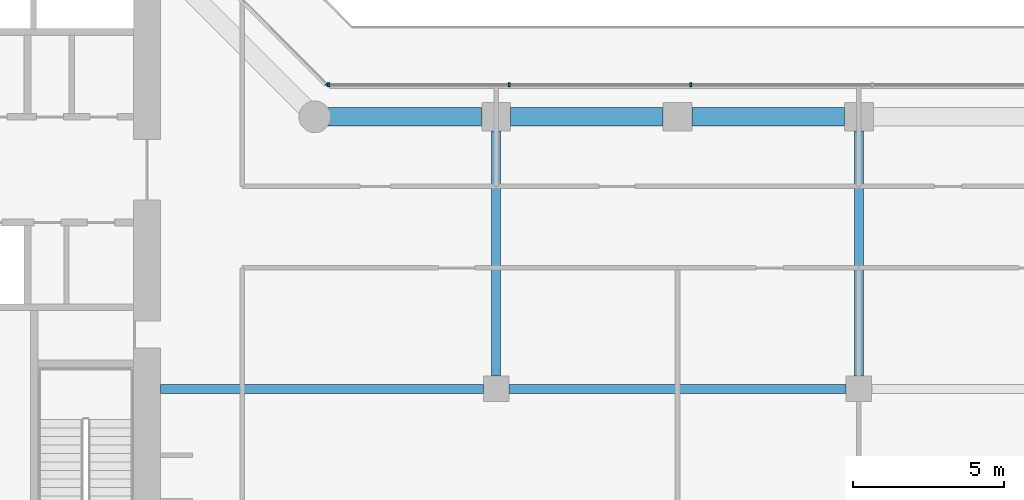
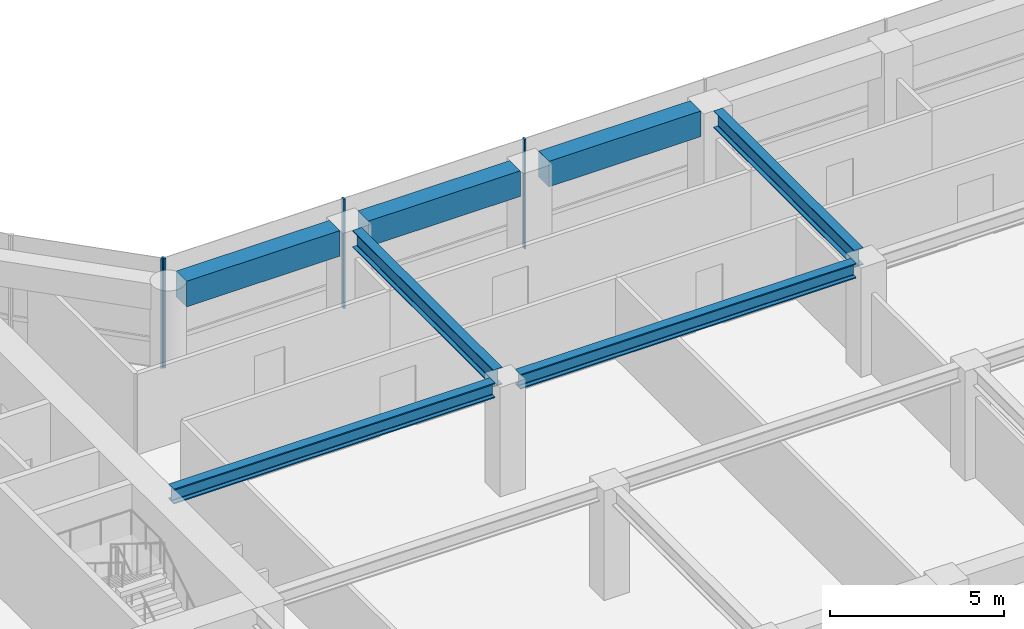
# One storey, part 9 of 29: 7 beams, 4 members, 2 elements without a shape of their own.
"""IFC4 building model written with IfcOpenShell, lengths in metres."""

from ifc_helpers import new_model, si_unit, direction, frame, origin, origin_2d, place, context, subcontext, project, spatial, rectangle, i_section, extrude, material, layer, layer_set, material_profile, profile_set, type_object, element, aggregate, save


model = new_model("IFC4")

# Units and contexts
model_context = context("Model", 3, precision=1e-05, world=origin(), true_north=direction((0.0, 1.0)))
body_context = subcontext(model_context, "Body", "Model", "MODEL_VIEW")
ifc_project = project(units=[si_unit("LENGTHUNIT", "METRE"), si_unit("AREAUNIT", "SQUARE_METRE"), si_unit("VOLUMEUNIT", "CUBIC_METRE"), si_unit("PLANEANGLEUNIT", "RADIAN"), si_unit("MASSUNIT", "GRAM", prefix="KILO")], contexts=[model_context])

# Site, building, storey
site_placement = place(None, origin())
site = spatial("IfcSite", under=ifc_project, at=site_placement, CompositionType="ELEMENT")
building_placement = place(site_placement, origin())
building = spatial("IfcBuilding", under=site, at=building_placement, Name="Welwitschia Terrace Campus", CompositionType="ELEMENT")
storey_placement = place(building_placement, frame((0.0, 0.0, 33.199951171875)))
storey = spatial("IfcBuildingStorey", under=building, at=storey_placement, Name="L07", CompositionType="ELEMENT", Elevation=33.199951171875)

# Beams
ifc_material_1 = material(Name="Steel S355", Category="steel")
ifc_material_profile_1 = material_profile(ifc_material_1, i_section(OverallWidth=0.305908203125, OverallDepth=0.52392578125, WebThickness=0.02099609375, FlangeThickness=0.0400390625, FilletRadius=0.027099609375, at=origin_2d()))
ifc_profile_set_1 = profile_set([ifc_material_profile_1], Name="Steel S355")
beam_type_1 = type_object("IfcBeamType", Name="Interior girder HE 500 M", PredefinedType="BEAM", material=ifc_profile_set_1)
beam_1_placement = place(storey_placement, frame((24.90087890625, 11.0, 3.588134765625), z_axis=(1.0, 0.0, 0.0), x_axis=(0.0, 1.0, 0.0)))
element("IfcBeam", 1, at=beam_1_placement, inside=storey, type_object=beam_type_1, Name="Girder GB2", PredefinedType="BEAM", context=body_context, shape_type="SweptSolid", body=[
    extrude(i_section(OverallWidth=0.305908203125, OverallDepth=0.52392578125, WebThickness=0.02099609375, FlangeThickness=0.0400390625, FilletRadius=0.027099609375, at=origin_2d()), origin(), (0.0, 0.0, 1.0), 10.673583984375),
])
beam_2_placement = place(storey_placement, frame((36.425537109375, 11.0, 3.588134765625), z_axis=(1.0, 0.0, 0.0), x_axis=(0.0, 1.0, 0.0)))
element("IfcBeam", 2, at=beam_2_placement, inside=storey, type_object=beam_type_1, Name="Girder GB2", PredefinedType="BEAM", context=body_context, shape_type="SweptSolid", body=[
    extrude(i_section(OverallWidth=0.305908203125, OverallDepth=0.52392578125, WebThickness=0.02099609375, FlangeThickness=0.0400390625, FilletRadius=0.027099609375, at=origin_2d()), origin(), (0.0, 0.0, 1.0), 11.14892578125),
])

# Curtain wall, members
ifc_material_2 = material(Name="Bronze anodised aluminium", Category="aluminium")
ifc_layer = layer(ifc_material_2, 0.1201171875)
ifc_layer_set = layer_set([ifc_layer], Name="Bronze anodised aluminium")
curtain_wall_type = type_object("IfcCurtainWallType", Name="Curtain wall CW2 tower 6000", PredefinedType="NOTDEFINED", material=ifc_layer_set)
curtain_wall_1_placement = place(storey_placement, origin())
curtain_wall_1 = element("IfcCurtainWall", 3, at=curtain_wall_1_placement, inside=storey, type_object=curtain_wall_type, Name="CW L07.11.0", PredefinedType="NOTDEFINED")
ifc_material_3 = material(Name="Bronze anodised aluminium", Category="aluminium")
ifc_material_profile_2 = material_profile(ifc_material_3, rectangle(XDim=0.1201171875, YDim=0.06005859375, at=origin_2d()))
ifc_profile_set_2 = profile_set([ifc_material_profile_2], Name="Bronze anodised aluminium")
member_type = type_object("IfcMemberType", Name="Mullion 60x120", PredefinedType="MULLION", material=ifc_profile_set_2)
member_1_placement = place(storey_placement, frame((42.438232421875, 21.05810546875, 0.0), z_axis=(0.0, 0.0, 1.0), x_axis=(0.0, -1.0, 0.0)))
member_1 = element("IfcMember", 4, at=member_1_placement, type_object=member_type, Name="Mullion L07.11.0.3", PredefinedType="MULLION", context=body_context, shape_type="SweptSolid", body=[
    extrude(rectangle(XDim=0.1201171875, YDim=0.06005859375, at=origin_2d()), origin(), (0.0, 0.0, 1.0), 3.85009765625),
])
member_2_placement = place(storey_placement, frame((36.438232421875, 21.05810546875, 0.0), z_axis=(0.0, 0.0, 1.0), x_axis=(0.0, -1.0, 0.0)))
member_2 = element("IfcMember", 5, at=member_2_placement, type_object=member_type, Name="Mullion L07.11.0.4", PredefinedType="MULLION", context=body_context, shape_type="SweptSolid", body=[
    extrude(rectangle(XDim=0.1201171875, YDim=0.06005859375, at=origin_2d()), origin(), (0.0, 0.0, 1.0), 3.85009765625),
])
member_3_placement = place(storey_placement, frame((30.46826171875, 21.05810546875, 0.0), z_axis=(0.0, 0.0, 1.0), x_axis=(0.0, -1.0, 0.0)))
member_3 = element("IfcMember", 6, at=member_3_placement, type_object=member_type, Name="Mullion L07.11.0.5", PredefinedType="MULLION", context=body_context, shape_type="SweptSolid", body=[
    extrude(rectangle(XDim=0.1201171875, YDim=0.06005859375, at=origin_2d()), origin(), (0.0, 0.0, 1.0), 3.85009765625),
])
aggregate(curtain_wall_1, [member_1, member_2, member_3])

# Curtain wall, member
curtain_wall_2_placement = place(storey_placement, origin())
curtain_wall_2 = element("IfcCurtainWall", 7, at=curtain_wall_2_placement, inside=storey, type_object=curtain_wall_type, Name="CW L07.12.0", PredefinedType="NOTDEFINED")
member_4_placement = place(storey_placement, frame((30.4169921875, 21.0791015625, 0.0), z_axis=(0.0, 0.0, 1.0), x_axis=(-0.707106781187, -0.707106781187, 0.0)))
member_4 = element("IfcMember", 8, at=member_4_placement, type_object=member_type, Name="Mullion L07.12.0.0", PredefinedType="MULLION", context=body_context, shape_type="SweptSolid", body=[
    extrude(rectangle(XDim=0.1201171875, YDim=0.06005859375, at=origin_2d()), origin(), (0.0, 0.0, 1.0), 3.85009765625),
])
aggregate(curtain_wall_2, [member_4])

# Beams
ifc_material_4 = material(Name="Steel S355", Category="steel")
ifc_material_profile_3 = material_profile(ifc_material_4, i_section(OverallWidth=0.300048828125, OverallDepth=0.60009765625, WebThickness=0.015380859375, FlangeThickness=0.030029296875, FilletRadius=0.027099609375, at=origin_2d()))
ifc_profile_set_3 = profile_set([ifc_material_profile_3], Name="Steel S355")
beam_type_2 = type_object("IfcBeamType", Name="Primary beam HE 600 B", PredefinedType="BEAM", material=ifc_profile_set_3)
for number, where, z_axis, x_axis, name in (
    (9, (48.0, 19.5244140625, 3.550048828125), (0.0, -1.0, 0.0), (1.0, 0.0, 0.0), "Primary beam PB2"),
    (10, (36.0, 19.5244140625, 3.550048828125), (0.0, -1.0, 0.0), (1.0, 0.0, 0.0), "Primary beam PB2"),
):
    element("IfcBeam", number, at=place(storey_placement, frame(where, z_axis=z_axis, x_axis=x_axis)), inside=storey, type_object=beam_type_2, Name=name, PredefinedType="BEAM", context=body_context, shape_type="SweptSolid", body=[
        extrude(i_section(OverallWidth=0.300048828125, OverallDepth=0.60009765625, WebThickness=0.015380859375, FlangeThickness=0.030029296875, FilletRadius=0.027099609375, at=origin_2d()), origin(), (0.0, 0.0, 1.0), 8.098876953125),
    ])
ifc_material_5 = material(Name="Concrete C60/75", Category="concrete")
ifc_material_profile_4 = material_profile(ifc_material_5, rectangle(XDim=0.60009765625, YDim=0.89990234375, at=origin_2d()))
ifc_profile_set_4 = profile_set([ifc_material_profile_4], Name="Concrete C60/75")
beam_type_3 = type_object("IfcBeamType", Name="Ring spandrel 600x900", PredefinedType="SPANDREL", material=ifc_profile_set_4)
for number, where, z_axis, x_axis, name in (
    (11, (47.5244140625, 20.0, 3.400146484375), (-1.0, 0.0, 0.0), (0.0, -1.0, 0.0), "Spandrel SP2"),
    (12, (41.5244140625, 20.0, 3.400146484375), (-1.0, 0.0, 0.0), (0.0, -1.0, 0.0), "Spandrel SP2"),
):
    element("IfcBeam", number, at=place(storey_placement, frame(where, z_axis=z_axis, x_axis=x_axis)), inside=storey, type_object=beam_type_3, Name=name, PredefinedType="SPANDREL", context=body_context, shape_type="SweptSolid", body=[
        extrude(rectangle(XDim=0.60009765625, YDim=0.89990234375, at=origin_2d()), origin(), (0.0, 0.0, 1.0), 5.048828125),
    ])
beam_3_placement = place(storey_placement, frame((35.5244140625, 20.0, 3.400146484375), z_axis=(-1.0, 0.0, 0.0), x_axis=(0.0, -1.0, 0.0)))
element("IfcBeam", 13, at=beam_3_placement, inside=storey, type_object=beam_type_3, Name="Spandrel SP2", PredefinedType="SPANDREL", context=body_context, shape_type="SweptSolid", body=[
    extrude(rectangle(XDim=0.60009765625, YDim=0.89990234375, at=origin_2d()), origin(), (0.0, 0.0, 1.0), 5.093017578125),
])

save(model, "model.ifc")
